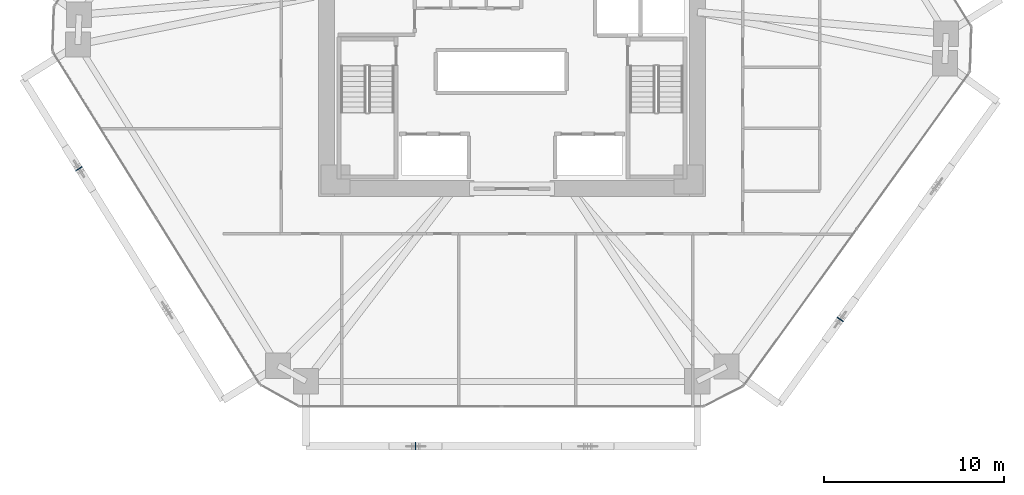
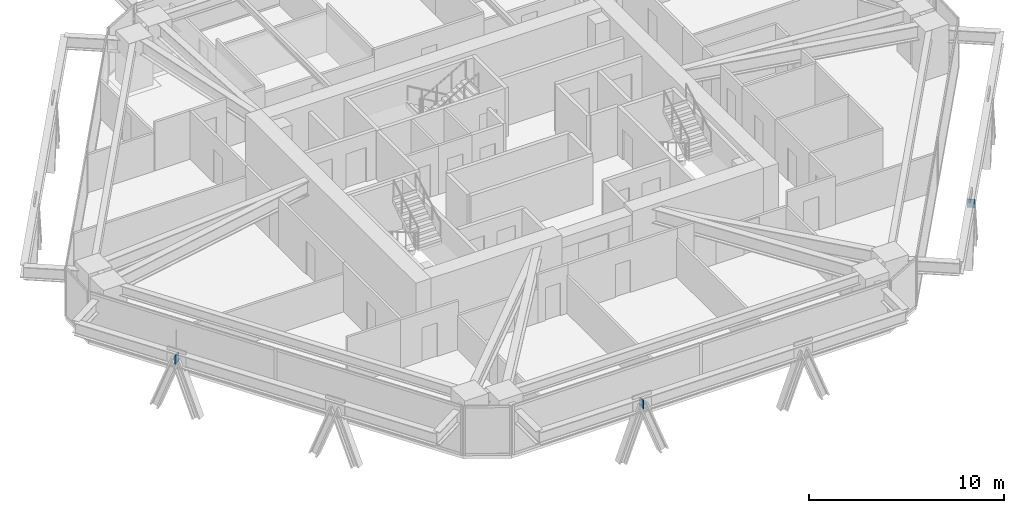
# One storey, part 11 of 17: 3 plates.
"""IFC4 building model written with IfcOpenShell, lengths in metres."""

from ifc_helpers import new_model, si_unit, direction, frame, origin, origin_2d, place, context, subcontext, project, spatial, rectangle, extrude, source, transform, mapped, material, layer, layer_set, type_object, type_shapes, element, save


model = new_model("IFC4")

# Units and contexts
model_context = context("Model", 3, precision=1e-05, world=origin(), true_north=direction((0.0, 1.0)))
body_context = subcontext(model_context, "Body", "Model", "MODEL_VIEW")
ifc_project = project(units=[si_unit("LENGTHUNIT", "METRE"), si_unit("AREAUNIT", "SQUARE_METRE"), si_unit("VOLUMEUNIT", "CUBIC_METRE"), si_unit("PLANEANGLEUNIT", "RADIAN"), si_unit("MASSUNIT", "GRAM", prefix="KILO")], contexts=[model_context])

# Site, building, storey
site_placement = place(None, origin())
site = spatial("IfcSite", under=ifc_project, at=site_placement, CompositionType="ELEMENT")
building_placement = place(site_placement, origin())
building = spatial("IfcBuilding", under=site, at=building_placement, Name="Durnholm Broadcast Tower", CompositionType="ELEMENT")
storey_placement = place(building_placement, frame((0.0, 0.0, 39.0)))
storey = spatial("IfcBuildingStorey", under=building, at=storey_placement, Name="L08", CompositionType="ELEMENT", Elevation=39.0)

# Plates
ifc_material = material(Name="Steel ASTM A572 Grade 50", Category="steel")
ifc_layer = layer(ifc_material, 0.044921875)
ifc_layer_set = layer_set([ifc_layer], Name="Steel ASTM A572 Grade 50")
plate_type = type_object("IfcPlateType", Name="PLT-KN-STIF", PredefinedType="SHEET", material=ifc_layer_set)
shared_shape = source(origin(), body_context, "Body", "SweptSolid", [
    extrude(rectangle(XDim=0.044921875, YDim=0.419921875, at=origin_2d()), origin(), (0.0, 0.0, 1.0), 0.52001953125),
])
type_shapes(plate_type, [shared_shape])
for number, where, z_axis, x_axis, name in (
    (1, (-5.351318359375, -22.60009765625, 2.048583984375), (0.0, 0.0, 1.0), (1.0, 0.0, 0.0), "L08 welded diagrid node stiffener plate F1"),
    (2, (18.223388671875, -15.56396484375, 2.048583984375), (0.0, 0.0, 1.0), (0.584816108738, 0.81116590101, 0.0), "L08 welded diagrid node stiffener plate F2"),
    (3, (-24.036376953125, -7.197509765625, 2.048583984375), (0.0, 0.0, 1.0), (0.528586500185, -0.848879444811, 0.0), "L08 welded diagrid node stiffener plate F6"),
):
    element("IfcPlate", number, at=place(storey_placement, frame(where, z_axis=z_axis, x_axis=x_axis)), inside=storey, type_object=plate_type, Name=name, PredefinedType="SHEET", context=body_context, shape_type="MappedRepresentation", body=[
        mapped(shared_shape, transform((0.0, 0.0, 0.0), x_axis=(1.0, 0.0, 0.0), y_axis=(0.0, 1.0, 0.0), z_axis=(0.0, 0.0, 1.0), scale=1.0)),
    ])

save(model, "model.ifc")
